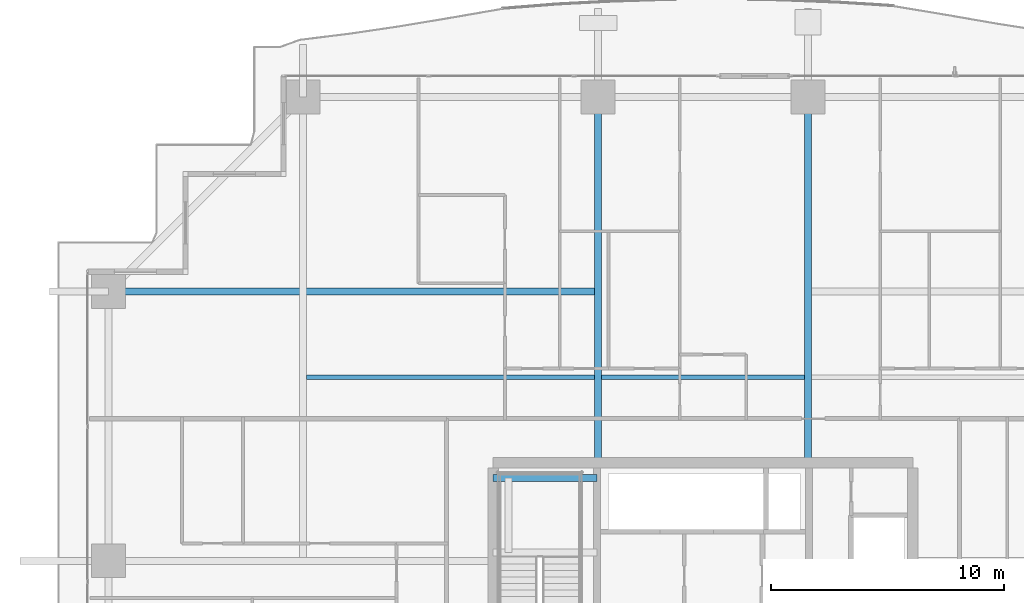
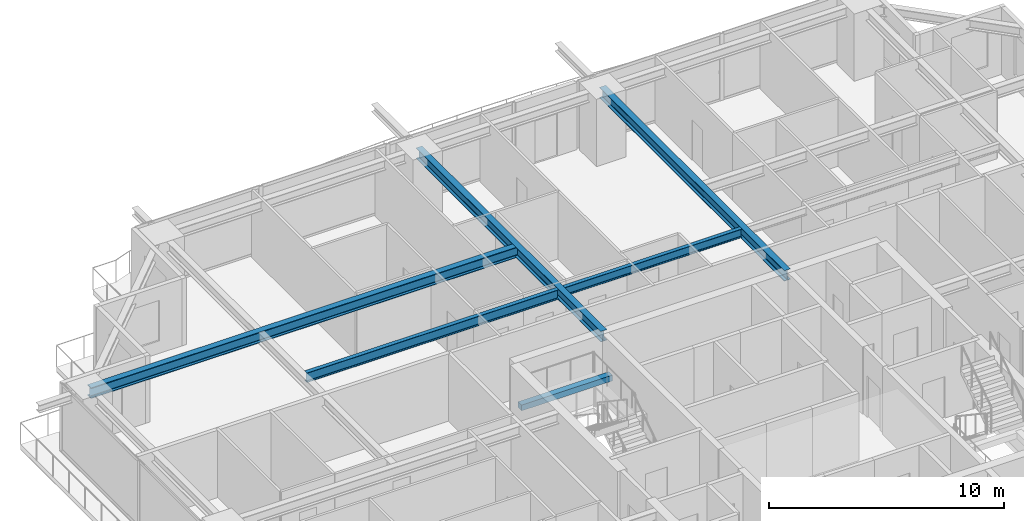
# One storey, part 18 of 38: 6 beams.
"""IFC4 building model written with IfcOpenShell, lengths in metres."""

from ifc_helpers import new_model, si_unit, direction, frame, origin, origin_2d, place, context, subcontext, project, spatial, rectangle, i_section, extrude, source, transform, mapped, material, material_profile, profile_set, type_object, element, save


model = new_model("IFC4")

# Units and contexts
model_context = context("Model", 3, precision=1e-05, world=origin(), true_north=direction((0.0, 1.0)))
body_context = subcontext(model_context, "Body", "Model", "MODEL_VIEW")
ifc_project = project(units=[si_unit("LENGTHUNIT", "METRE"), si_unit("AREAUNIT", "SQUARE_METRE"), si_unit("VOLUMEUNIT", "CUBIC_METRE"), si_unit("PLANEANGLEUNIT", "RADIAN"), si_unit("MASSUNIT", "GRAM", prefix="KILO")], contexts=[model_context])

# Site, building, storey
site_placement = place(None, origin())
site = spatial("IfcSite", under=ifc_project, at=site_placement, CompositionType="ELEMENT")
building_placement = place(site_placement, origin())
building = spatial("IfcBuilding", under=site, at=building_placement, Name="Serunith Strait Residences", CompositionType="ELEMENT")
storey_placement = place(building_placement, frame((0.0, 0.0, 52.949951171875)))
storey = spatial("IfcBuildingStorey", under=building, at=storey_placement, Name="L12", CompositionType="ELEMENT", Elevation=52.949951171875)

# Beams
ifc_material_1 = material(Name="Steel S355J2", Category="steel")
ifc_material_profile_1 = material_profile(ifc_material_1, i_section(OverallWidth=0.300048828125, OverallDepth=0.550048828125, WebThickness=0.014892578125, FlangeThickness=0.029052734375, FilletRadius=0.027099609375, at=origin_2d()), Name="HEB 550")
ifc_profile_set_1 = profile_set([ifc_material_profile_1], Name="Steel S355J2")
beam_type_1 = type_object("IfcBeamType", Name="BM-HEB550", PredefinedType="BEAM", material=ifc_profile_set_1)
shared_shape_1 = source(origin(), body_context, "Body", "SweptSolid", [
    extrude(i_section(OverallWidth=0.300048828125, OverallDepth=0.550048828125, WebThickness=0.014892578125, FlangeThickness=0.029052734375, FilletRadius=0.027099609375, at=origin_2d()), origin(), (0.0, 0.0, 1.0), 15.699951171875),
])
for number, where, z_axis, x_axis, name in (
    (1, (27.89990234375, 33.60009765625, 3.212158203125), (0.0, 1.0, 0.0), (-1.0, 0.0, 0.0), "L12 Primary Floor Girder TC-N2"),
    (2, (36.89990234375, 33.60009765625, 3.212158203125), (0.0, 1.0, 0.0), (-1.0, 0.0, 0.0), "L12 Primary Floor Girder TC-N3"),
):
    element("IfcBeam", number, at=place(storey_placement, frame(where, z_axis=z_axis, x_axis=x_axis)), inside=storey, type_object=beam_type_1, Name=name, PredefinedType="BEAM", context=body_context, shape_type="MappedRepresentation", body=[
        mapped(shared_shape_1, transform((0.0, 0.0, 0.0), scale=1.0)),
    ])
shared_shape_2 = source(origin(), body_context, "Body", "SweptSolid", [
    extrude(i_section(OverallWidth=0.300048828125, OverallDepth=0.550048828125, WebThickness=0.014892578125, FlangeThickness=0.029052734375, FilletRadius=0.027099609375, at=origin_2d()), origin(), (0.0, 0.0, 1.0), 21.0),
])
beam_1_placement = place(storey_placement, frame((27.89990234375, 40.949951171875, 3.212158203125), z_axis=(-1.0, 0.0, 0.0), x_axis=(0.0, -1.0, 0.0)))
element("IfcBeam", 3, at=beam_1_placement, inside=storey, type_object=beam_type_1, Name="L12 Orthogonal Corner Girder TC-W4", PredefinedType="BEAM", context=body_context, shape_type="MappedRepresentation", body=[
    mapped(shared_shape_2, transform((0.0, 0.0, 0.0), scale=1.0)),
])
ifc_material_profile_2 = material_profile(ifc_material_1, i_section(OverallWidth=0.199951171875, OverallDepth=0.5, WebThickness=0.01025390625, FlangeThickness=0.01611328125, FilletRadius=0.02099609375, at=origin_2d()), Name="IPE 500")
ifc_profile_set_2 = profile_set([ifc_material_profile_2], Name="Steel S355J2")
beam_type_2 = type_object("IfcBeamType", Name="BM-IPE500", PredefinedType="JOIST", material=ifc_profile_set_2)
shared_shape_3 = source(origin(), body_context, "Body", "SweptSolid", [
    extrude(i_section(OverallWidth=0.199951171875, OverallDepth=0.5, WebThickness=0.01025390625, FlangeThickness=0.01611328125, FilletRadius=0.02099609375, at=origin_2d()), origin(), (0.0, 0.0, 1.0), 12.35009765625),
])
beam_2_placement = place(storey_placement, frame((15.39990234375, 37.27490234375, 3.237060546875), z_axis=(1.0, 0.0, 0.0), x_axis=(0.0, 1.0, 0.0)))
element("IfcBeam", 4, at=beam_2_placement, inside=storey, type_object=beam_type_2, Name="L12 Composite Floor Joist 04", PredefinedType="JOIST", context=body_context, shape_type="MappedRepresentation", body=[
    mapped(shared_shape_3, transform((0.0, 0.0, 0.0), scale=1.0)),
])
ifc_material_profile_3 = material_profile(ifc_material_1, i_section(OverallWidth=0.18994140625, OverallDepth=0.449951171875, WebThickness=0.009521484375, FlangeThickness=0.0146484375, FilletRadius=0.02099609375, at=origin_2d()), Name="IPE 450")
ifc_profile_set_3 = profile_set([ifc_material_profile_3], Name="Steel S355J2")
beam_type_3 = type_object("IfcBeamType", Name="BM-IPE450", PredefinedType="JOIST", material=ifc_profile_set_3)
shared_shape_4 = source(origin(), body_context, "Body", "SweptSolid", [
    extrude(i_section(OverallWidth=0.18994140625, OverallDepth=0.449951171875, WebThickness=0.009521484375, FlangeThickness=0.0146484375, FilletRadius=0.02099609375, at=origin_2d()), origin(), (0.0, 0.0, 1.0), 8.699951171875),
])
beam_3_placement = place(storey_placement, frame((28.050048828125, 37.27490234375, 3.261962890625), z_axis=(1.0, 0.0, 0.0), x_axis=(0.0, 1.0, 0.0)))
element("IfcBeam", 5, at=beam_3_placement, inside=storey, type_object=beam_type_3, Name="L12 Composite Floor Joist 05", PredefinedType="JOIST", context=body_context, shape_type="MappedRepresentation", body=[
    mapped(shared_shape_4, transform((0.0, 0.0, 0.0), scale=1.0)),
])
ifc_material_2 = material(Name="Concrete C60/75", Category="concrete")
ifc_material_profile_4 = material_profile(ifc_material_2, rectangle(XDim=0.300048828125, YDim=0.300048828125, at=origin_2d()), Name="RC 300x300")
ifc_profile_set_4 = profile_set([ifc_material_profile_4], Name="Concrete C60/75")
beam_type_4 = type_object("IfcBeamType", Name="BM-LAND-300x300", PredefinedType="BEAM", material=ifc_profile_set_4)
shared_shape_5 = source(origin(), body_context, "Body", "SweptSolid", [
    extrude(rectangle(XDim=0.300048828125, YDim=0.300048828125, at=origin_2d()), origin(), (0.0, 0.0, 1.0), 4.4501953125),
])
beam_4_placement = place(storey_placement, frame((23.39990234375, 32.949951171875, 1.525146484375), z_axis=(1.0, 0.0, 0.0), x_axis=(0.0, 1.0, 0.0)))
element("IfcBeam", 6, at=beam_4_placement, inside=storey, type_object=beam_type_4, Name="L12 ST-1 Landing Support Beam 2", PredefinedType="BEAM", context=body_context, shape_type="MappedRepresentation", body=[
    mapped(shared_shape_5, transform((0.0, 0.0, 0.0), scale=1.0)),
])

save(model, "model.ifc")
